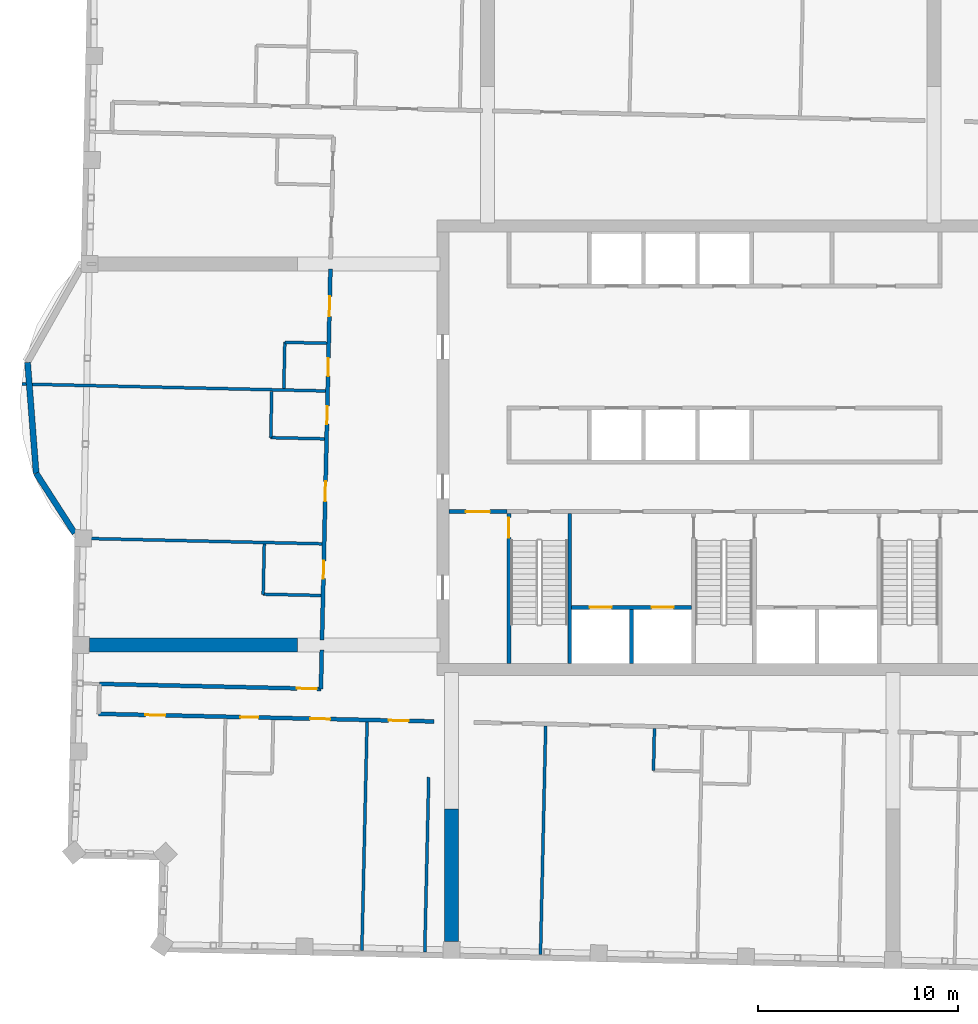
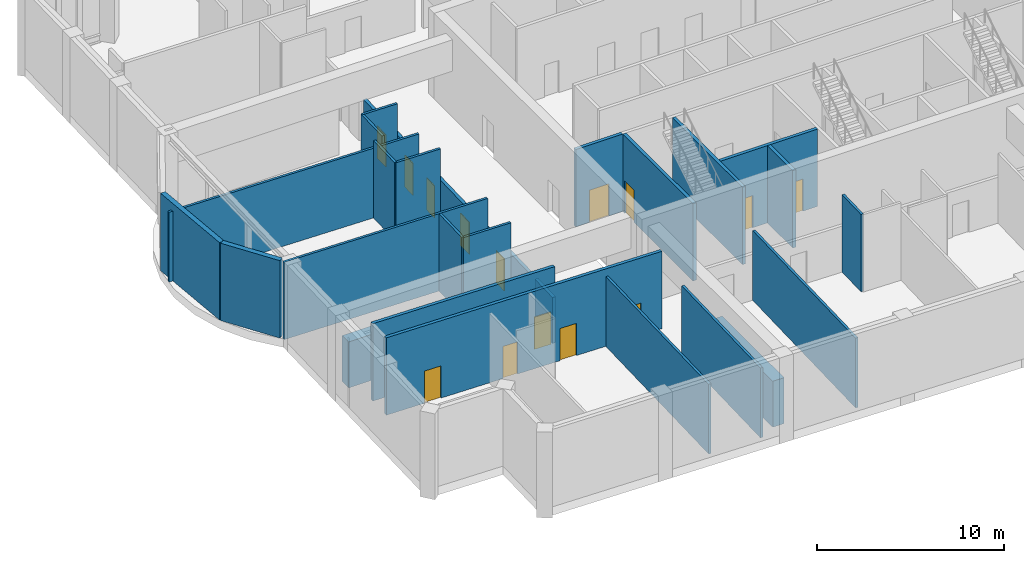
# One storey, part 9 of 16: 25 walls, 14 doors, 14 openings.
"""IFC4 building model written with IfcOpenShell, lengths in metres."""

import ifcopenshell
import ifcopenshell.guid

model = None  # the IFC model being written
_history = None  # IfcOwnerHistory: only IFC2X3 demands one
_inside = {}  # id of a spatial element -> (the spatial element, [elements in it])
_under = {}  # id of a project, library or spatial element -> (it, [spatial elements below it])
_declared = {}  # id of a project -> (the project, [libraries it declares])
_typed = {}  # id of a type object -> (the type object, [elements of that type])
_made_of = {}  # id of a material, layer set ... -> (it, [elements and type objects made of it])


def new_model(schema):
    """Start an empty IFC model of exactly this schema.

    Asked for "IFC4X3", IfcOpenShell would pick the latest addendum, in which some entities
    have other attributes; the version numbers below select the first issue.
    IFC2X3 requires an IfcOwnerHistory on every rooted entity: one is made here for all.
    """
    global model, _history
    if schema == "IFC4X3":
        model = ifcopenshell.file(schema_version=(4, 3, 0, 0))
    else:
        model = ifcopenshell.file(schema=schema)
    _inside.clear()
    _under.clear()
    _declared.clear()
    _typed.clear()
    _made_of.clear()
    _history = None
    if model.schema == "IFC2X3":
        org = make("IfcOrganization", Name="unknown")
        user = make(
            "IfcPersonAndOrganization",
            ThePerson=make("IfcPerson", FamilyName="unknown"),
            TheOrganization=org,
        )
        app = make(
            "IfcApplication",
            ApplicationDeveloper=org,
            Version="unknown",
            ApplicationFullName="unknown",
            ApplicationIdentifier="unknown",
        )
        _history = make(
            "IfcOwnerHistory",
            OwningUser=user,
            OwningApplication=app,
            ChangeAction="ADDED",
            CreationDate=0,
        )
    return model


def make(cls, **values):
    """One entity of the class cls with the attributes given. An attribute that is None is left unset."""
    return model.create_entity(
        cls, **{name: value for name, value in values.items() if value is not None}
    )


def rooted(cls, **values):
    """An entity with a GlobalId (a new one), such as an element, a storey or a relation."""
    return make(cls, GlobalId=ifcopenshell.guid.new(), OwnerHistory=_history, **values)


def si_unit(unit_type, name, prefix=None):
    """IfcSIUnit, for example si_unit("LENGTHUNIT", "METRE", prefix="MILLI")."""
    return make("IfcSIUnit", UnitType=unit_type, Prefix=prefix, Name=name)


def assignment(units):
    """IfcUnitAssignment: the units of a project."""
    return None if units is None else make("IfcUnitAssignment", Units=units)


def point(xyz):
    """IfcCartesianPoint."""
    return None if xyz is None else make("IfcCartesianPoint", Coordinates=xyz)


def direction(xyz):
    """IfcDirection."""
    return None if xyz is None else make("IfcDirection", DirectionRatios=xyz)


def frame(location, z_axis=None, x_axis=None):
    """IfcAxis2Placement3D, a coordinate frame: its origin and axes. An axis left out is left unset."""
    return make(
        "IfcAxis2Placement3D",
        Location=point(location),
        Axis=direction(z_axis),
        RefDirection=direction(x_axis),
    )


def frame_2d(location, x_axis=None):
    """IfcAxis2Placement2D, a coordinate frame in the plane: its origin and x axis."""
    return make(
        "IfcAxis2Placement2D", Location=point(location), RefDirection=direction(x_axis)
    )


def origin():
    """The frame at (0, 0, 0) with its axes left unset."""
    return frame((0.0, 0.0, 0.0))


def place(relative_to, where):
    """IfcLocalPlacement: puts the frame where relative to a parent placement (None: the world)."""
    return make(
        "IfcLocalPlacement", PlacementRelTo=relative_to, RelativePlacement=where
    )


def context(
    kind, dimensions, precision=None, world=None, true_north=None, identifier=None
):
    """IfcGeometricRepresentationContext, for example the 3D "Model" context."""
    return make(
        "IfcGeometricRepresentationContext",
        ContextIdentifier=identifier,
        ContextType=kind,
        CoordinateSpaceDimension=dimensions,
        Precision=precision,
        WorldCoordinateSystem=world,
        TrueNorth=true_north,
    )


def subcontext(parent, identifier, kind, view, scale=None):
    """IfcGeometricRepresentationSubContext, for example "Body" below "Model"."""
    return make(
        "IfcGeometricRepresentationSubContext",
        ContextIdentifier=identifier,
        ContextType=kind,
        ParentContext=parent,
        TargetScale=scale,
        TargetView=view,
    )


def project(units=None, contexts=None):
    """IfcProject with its units and contexts."""
    return rooted(
        "IfcProject",
        Name="project",
        RepresentationContexts=contexts,
        UnitsInContext=assignment(units),
    )


def spatial(cls, under=None, at=None, **own):
    """A site, building, storey or space (cls), placed at a placement, below another one or the project."""
    s = rooted(cls, ObjectPlacement=at, **own)
    if under is not None:
        _under.setdefault(under.id(), (under, []))[1].append(s)
    return s


def profile(cls, at=None, kind="AREA", **sizes):
    """A parametric profile (cls). Its sizes go by their IFC names, for example OverallWidth=200.0."""
    return make(cls, ProfileType=kind, Position=at, **sizes)


def rectangle(**sizes):
    """IfcRectangleProfileDef."""
    return profile("IfcRectangleProfileDef", **sizes)


def extrude(swept, where, along, depth):
    """IfcExtrudedAreaSolid: the profile swept, set in the frame where, extruded along a direction by depth."""
    return make(
        "IfcExtrudedAreaSolid",
        SweptArea=swept,
        Position=where,
        ExtrudedDirection=direction(along),
        Depth=depth,
    )


def shape(context_of_items, identifier, shape_type, items):
    """IfcShapeRepresentation: the items that make up one representation, for example the "Body"."""
    return make(
        "IfcShapeRepresentation",
        ContextOfItems=context_of_items,
        RepresentationIdentifier=identifier,
        RepresentationType=shape_type,
        Items=items,
    )


def material(Name=None, Category=None):
    """IfcMaterial."""
    return make("IfcMaterial", Name=Name, Category=Category)


def layer(
    of_material, thickness, ventilated=None, Name=None, Category=None, Priority=None
):
    """IfcMaterialLayer: one layer of a wall or slab, of a material (None: an air gap)."""
    return make(
        "IfcMaterialLayer",
        Material=of_material,
        LayerThickness=thickness,
        IsVentilated=ventilated,
        Name=Name,
        Category=Category,
        Priority=Priority,
    )


def layer_set(layers, Name=None):
    """IfcMaterialLayerSet."""
    return make("IfcMaterialLayerSet", MaterialLayers=layers, LayerSetName=Name)


def made_of(thing, what):
    """Note that an element or type object is made of a material, layer set ...; save() writes the relation."""
    if what is not None:
        _made_of.setdefault(what.id(), (what, []))[1].append(thing)
    return thing


def type_object(cls, material=None, **own):
    """A type object (cls), such as IfcWallType, which elements share."""
    return made_of(rooted(cls, **own), material)


def element(
    cls,
    number,
    at=None,
    inside=None,
    cuts=None,
    type_object=None,
    material=None,
    context=None,
    identifier="Body",
    shape_type=None,
    held_by="IfcProductDefinitionShape",
    body=None,
    shapes=None,
    **own,
):
    """One element of the class cls, such as IfcWall. Its Tag is "e" and its number.

    at: its placement. inside: the storey or other place that contains it. cuts: it is an
    opening in that element (IfcRelVoidsElement). A single representation is given by context,
    identifier, shape_type and body (its items); several are given by shapes. held_by: the class
    of the entity that holds the representations. save() writes the other relations.
    """
    e = rooted(cls, Tag="e%d" % number, ObjectPlacement=at, **own)
    if body is not None:
        shapes = [shape(context, identifier, shape_type, body)]
    if shapes is not None:
        e.Representation = make(held_by, Representations=shapes)
    if inside is not None:
        _inside.setdefault(inside.id(), (inside, []))[1].append(e)
    if cuts is not None:
        rooted(
            "IfcRelVoidsElement", RelatingBuildingElement=cuts, RelatedOpeningElement=e
        )
    if type_object is not None:
        _typed.setdefault(type_object.id(), (type_object, []))[1].append(e)
    return made_of(e, material)


def fill(opening, filler):
    """IfcRelFillsElement: the door or window that sits in an opening."""
    return rooted(
        "IfcRelFillsElement",
        RelatingOpeningElement=opening,
        RelatedBuildingElement=filler,
    )


def aggregate(whole, parts):
    """IfcRelAggregates: a whole, such as a stair, and the parts it consists of."""
    return rooted("IfcRelAggregates", RelatingObject=whole, RelatedObjects=parts)


def save(model, path):
    """Write the relations noted so far, then the file.

    IfcRelAggregates (storeys below a building ...), IfcRelContainedInSpatialStructure (elements
    in a storey), IfcRelDefinesByType, IfcRelAssociatesMaterial and IfcRelDeclares: one each for
    every whole, place, type object, material and project.
    """
    for whole, parts in _under.values():
        aggregate(whole, parts)
    for where, things in _inside.values():
        rooted(
            "IfcRelContainedInSpatialStructure",
            RelatedElements=things,
            RelatingStructure=where,
        )
    for kind, things in _typed.values():
        rooted("IfcRelDefinesByType", RelatedObjects=things, RelatingType=kind)
    for what, things in _made_of.values():
        rooted("IfcRelAssociatesMaterial", RelatedObjects=things, RelatingMaterial=what)
    for by, libraries in _declared.values():
        rooted("IfcRelDeclares", RelatingContext=by, RelatedDefinitions=libraries)
    model.write(path)


model = new_model("IFC4")

# Units and contexts
model_context = context("Model", 3, precision=1e-05, world=origin(), true_north=direction((0.0, 1.0)))
body_context = subcontext(model_context, "Body", "Model", "MODEL_VIEW")
ifc_project = project(units=[si_unit("LENGTHUNIT", "METRE"), si_unit("AREAUNIT", "SQUARE_METRE"), si_unit("VOLUMEUNIT", "CUBIC_METRE"), si_unit("PLANEANGLEUNIT", "RADIAN"), si_unit("MASSUNIT", "GRAM", prefix="KILO")], contexts=[model_context])

# Site, building, storey
site_placement = place(None, origin())
site = spatial("IfcSite", under=ifc_project, at=site_placement, CompositionType="ELEMENT")
building_placement = place(site_placement, origin())
building = spatial("IfcBuilding", under=site, at=building_placement, Name="Mangrove Gate Tower", CompositionType="ELEMENT")
storey_placement = place(building_placement, frame((0.0, 0.0, 324.10009765625)))
storey = spatial("IfcBuildingStorey", under=building, at=storey_placement, Name="L83", CompositionType="ELEMENT", Elevation=324.10009765625)

# Wall, opening, door
ifc_material_1 = material(Name="Concrete C32/40", Category="concrete")
ifc_layer_1 = layer(ifc_material_1, 0.199951171875)
ifc_layer_set_1 = layer_set([ifc_layer_1], Name="Core lobby wall 200 C32/40")
wall_type_1 = type_object("IfcWallType", Name="Core lobby wall 200 C32/40", PredefinedType="STANDARD", material=ifc_layer_set_1)
wall_1_placement = place(storey_placement, frame((-13.800048828125, -3.199951171875, 0.0), z_axis=(0.0, 0.0, 1.0), x_axis=(1.0, 0.0, 0.0)))
wall_1 = element("IfcWall", 1, at=wall_1_placement, inside=storey, type_object=wall_type_1, Name="WALL-L83-CORE-32", PredefinedType="STANDARD", context=body_context, shape_type="SweptSolid", body=[
    extrude(rectangle(XDim=2.900146484375, YDim=0.199951171875, at=frame_2d((1.4501953125, 0.0))), origin(), (0.0, 0.0, 1.0), 5.0498046875),
])
opening_1_placement = place(wall_1_placement, frame((0.85009765625, 0.0, 0.0)))
opening_1 = element("IfcOpeningElement", 2, at=opening_1_placement, cuts=wall_1, Name="Opening FL12", PredefinedType="OPENING", context=body_context, shape_type="SweptSolid", body=[
    extrude(rectangle(XDim=1.199951171875, YDim=2.10009765625, at=frame_2d((0.60009765625, 1.050048828125))), frame((0.0, 0.10986328125, 0.0), z_axis=(0.0, -1.0, 0.0), x_axis=(1.0, 0.0, 0.0)), (0.0, 0.0, 1.0), 0.219970703125),
])
ifc_material_2 = material(Name="Fire-rated steel door set", Category="steel")
door_type_1 = type_object("IfcDoorType", Name="Lobby door FD60 1200x2100", OperationType="SINGLE_SWING_LEFT", PredefinedType="DOOR", material=ifc_material_2)
door_1_placement = place(opening_1_placement, origin())
door_1 = element("IfcDoor", 3, at=door_1_placement, inside=storey, type_object=door_type_1, Name="Lobby door refuge lobby W link", OperationType="SINGLE_SWING_LEFT", OverallHeight=2.10009765625, OverallWidth=1.199951171875, PredefinedType="DOOR", context=body_context, shape_type="SweptSolid", body=[
    extrude(rectangle(XDim=1.199951171875, YDim=2.10009765625, at=frame_2d((0.60009765625, 1.050048828125))), frame((0.0, 0.02490234375, 0.0), z_axis=(0.0, -1.0, 0.0), x_axis=(1.0, 0.0, 0.0)), (0.0, 0.0, 1.0), 0.050048828125),
])
fill(opening_1, door_1)

# Wall, openings, doors
ifc_material_3 = material(Name="Concrete C50/60", Category="concrete")
ifc_layer_2 = layer(ifc_material_3, 0.199951171875)
ifc_layer_set_2 = layer_set([ifc_layer_2], Name="Core shaft wall 200 C50/60")
wall_type_2 = type_object("IfcWallType", Name="Core shaft wall 200 C50/60", PredefinedType="SHEAR", material=ifc_layer_set_2)
wall_2_placement = place(storey_placement, frame((-7.64990234375, -8.0, 0.0), z_axis=(0.0, 0.0, 1.0), x_axis=(1.0, 0.0, 0.0)))
wall_2 = element("IfcWall", 4, at=wall_2_placement, inside=storey, type_object=wall_type_2, Name="WALL-L83-CORE-15", PredefinedType="SHEAR", context=body_context, shape_type="SweptSolid", body=[
    extrude(rectangle(XDim=6.0, YDim=0.199951171875, at=frame_2d((3.0, 0.0))), origin(), (0.0, 0.0, 1.0), 5.0498046875),
])
opening_2_placement = place(wall_2_placement, frame((0.89990234375, 0.0, 0.0)))
opening_2 = element("IfcOpeningElement", 5, at=opening_2_placement, cuts=wall_2, Name="Opening LD", PredefinedType="OPENING", context=body_context, shape_type="SweptSolid", body=[
    extrude(rectangle(XDim=1.10009765625, YDim=2.10009765625, at=frame_2d((0.550048828125, 1.050048828125))), frame((0.0, 0.10986328125, 0.0), z_axis=(0.0, -1.0, 0.0), x_axis=(1.0, 0.0, 0.0)), (0.0, 0.0, 1.0), 0.219970703125),
])
opening_3_placement = place(wall_2_placement, frame((4.0, 0.0, 0.0)))
opening_3 = element("IfcOpeningElement", 6, at=opening_3_placement, cuts=wall_2, Name="Opening LD", PredefinedType="OPENING", context=body_context, shape_type="SweptSolid", body=[
    extrude(rectangle(XDim=1.10009765625, YDim=2.10009765625, at=frame_2d((0.550048828125, 1.050048828125))), frame((0.0, 0.10986328125, 0.0), z_axis=(0.0, -1.0, 0.0), x_axis=(1.0, 0.0, 0.0)), (0.0, 0.0, 1.0), 0.219970703125),
])
ifc_material_4 = material(Name="Stainless steel 316", Category="steel")
door_type_2 = type_object("IfcDoorType", Name="Lift landing door 1100x2100", OperationType="SLIDING_TO_LEFT", PredefinedType="DOOR", material=ifc_material_4)
door_2_placement = place(opening_2_placement, origin())
door_2 = element("IfcDoor", 7, at=door_2_placement, inside=storey, type_object=door_type_2, Name="Landing door LD SVL1", OperationType="SLIDING_TO_LEFT", OverallHeight=2.10009765625, OverallWidth=1.10009765625, PredefinedType="DOOR", context=body_context, shape_type="SweptSolid", body=[
    extrude(rectangle(XDim=1.10009765625, YDim=2.10009765625, at=frame_2d((0.550048828125, 1.050048828125))), frame((0.0, 0.02490234375, 0.0), z_axis=(0.0, -1.0, 0.0), x_axis=(1.0, 0.0, 0.0)), (0.0, 0.0, 1.0), 0.050048828125),
])
fill(opening_2, door_2)
door_3_placement = place(opening_3_placement, origin())
door_3 = element("IfcDoor", 8, at=door_3_placement, inside=storey, type_object=door_type_2, Name="Landing door LD SVL2", OperationType="SLIDING_TO_LEFT", OverallHeight=2.10009765625, OverallWidth=1.10009765625, PredefinedType="DOOR", context=body_context, shape_type="SweptSolid", body=[
    extrude(rectangle(XDim=1.10009765625, YDim=2.10009765625, at=frame_2d((0.550048828125, 1.050048828125))), frame((0.0, 0.02490234375, 0.0), z_axis=(0.0, -1.0, 0.0), x_axis=(1.0, 0.0, 0.0)), (0.0, 0.0, 1.0), 0.050048828125),
])
fill(opening_3, door_3)

# Wall
wall_3_placement = place(storey_placement, frame((-4.64990234375, -10.800048828125, 0.0), z_axis=(0.0, 0.0, 1.0), x_axis=(0.0, 1.0, 0.0)))
element("IfcWall", 9, at=wall_3_placement, inside=storey, type_object=wall_type_2, Name="WALL-L83-CORE-16", PredefinedType="SHEAR", context=body_context, shape_type="SweptSolid", body=[
    extrude(rectangle(XDim=2.699951171875, YDim=0.199951171875, at=frame_2d((1.35009765625, 0.0))), origin(), (0.0, 0.0, 1.0), 5.0498046875),
])

# Wall, opening, door
ifc_material_5 = material(Name="Concrete C50/60", Category="concrete")
ifc_layer_3 = layer(ifc_material_5, 0.199951171875)
ifc_layer_set_3 = layer_set([ifc_layer_3], Name="Core stair wall 200 C50/60")
wall_type_3 = type_object("IfcWallType", Name="Core stair wall 200 C50/60", PredefinedType="SHEAR", material=ifc_layer_set_3)
wall_4_placement = place(storey_placement, frame((-10.800048828125, -10.800048828125, 0.0), z_axis=(0.0, 0.0, 1.0), x_axis=(0.0, 1.0, 0.0)))
wall_4 = element("IfcWall", 10, at=wall_4_placement, inside=storey, type_object=wall_type_3, Name="WALL-L83-CORE-9", PredefinedType="SHEAR", context=body_context, shape_type="SweptSolid", body=[
    extrude(rectangle(XDim=7.5, YDim=0.199951171875, at=frame_2d((3.75, 0.0))), origin(), (0.0, 0.0, 1.0), 5.0498046875),
])
opening_4_placement = place(wall_4_placement, frame((6.300048828125, 0.0, 0.0)))
opening_4 = element("IfcOpeningElement", 11, at=opening_4_placement, cuts=wall_4, Name="Opening STD10", PredefinedType="OPENING", context=body_context, shape_type="SweptSolid", body=[
    extrude(rectangle(XDim=1.0, YDim=2.10009765625, at=frame_2d((0.5, 1.050048828125))), frame((0.0, 0.10986328125, 0.0), z_axis=(0.0, -1.0, 0.0), x_axis=(1.0, 0.0, 0.0)), (0.0, 0.0, 1.0), 0.219970703125),
])
ifc_material_6 = material(Name="Fire-rated steel door set", Category="steel")
door_type_3 = type_object("IfcDoorType", Name="Stair door FD60 1000x2100", OperationType="SINGLE_SWING_RIGHT", PredefinedType="DOOR", material=ifc_material_6)
door_4_placement = place(opening_4_placement, origin())
door_4 = element("IfcDoor", 12, at=door_4_placement, inside=storey, type_object=door_type_3, Name="Stair door refuge lobby W to stair", OperationType="SINGLE_SWING_RIGHT", OverallHeight=2.10009765625, OverallWidth=1.0, PredefinedType="DOOR", context=body_context, shape_type="SweptSolid", body=[
    extrude(rectangle(XDim=1.0, YDim=2.10009765625, at=frame_2d((0.5, 1.050048828125))), frame((0.0, 0.02490234375, 0.0), z_axis=(0.0, -1.0, 0.0), x_axis=(1.0, 0.0, 0.0)), (0.0, 0.0, 1.0), 0.050048828125),
])
fill(opening_4, door_4)

# Wall
wall_5_placement = place(storey_placement, frame((-7.75, -10.800048828125, 0.0), z_axis=(0.0, 0.0, 1.0), x_axis=(0.0, 1.0, 0.0)))
element("IfcWall", 13, at=wall_5_placement, inside=storey, type_object=wall_type_3, Name="WALL-L83-CORE-10", PredefinedType="SHEAR", context=body_context, shape_type="SweptSolid", body=[
    extrude(rectangle(XDim=7.5, YDim=0.199951171875, at=frame_2d((3.75, 0.0))), origin(), (0.0, 0.0, 1.0), 5.0498046875),
])

# Wall, openings, doors
ifc_material_7 = material(Name="Gypsum board on steel stud, EI 60", Category="steel")
ifc_layer_4 = layer(ifc_material_7, 0.199951171875)
ifc_layer_set_4 = layer_set([ifc_layer_4], Name="Corridor wall EI 60")
wall_type_4 = type_object("IfcWallType", Name="Corridor wall EI 60", PredefinedType="PARTITIONING", material=ifc_layer_set_4)
wall_6_placement = place(storey_placement, frame((-31.346923828125, -13.3291015625, 0.0), z_axis=(0.0, 0.0, 1.0), x_axis=(0.999743094177, -0.022665957838, 0.0)))
wall_6 = element("IfcWall", 14, at=wall_6_placement, inside=storey, type_object=wall_type_4, Name="WALL-L83-020", PredefinedType="PARTITIONING", context=body_context, shape_type="SweptSolid", body=[
    extrude(rectangle(XDim=16.80322265625, YDim=0.199951171875, at=frame_2d((8.401611328125, 0.0))), origin(), (0.0, 0.0, 1.0), 5.0498046875),
])
opening_5_placement = place(wall_6_placement, frame((2.341064453125, 0.0, 0.0)))
opening_5 = element("IfcOpeningElement", 15, at=opening_5_placement, cuts=wall_6, Name="Opening AD", PredefinedType="OPENING", context=body_context, shape_type="SweptSolid", body=[
    extrude(rectangle(XDim=1.0, YDim=2.10009765625, at=frame_2d((0.5, 1.050048828125))), frame((0.0, 0.10986328125, 0.0), z_axis=(0.0, -1.0, 0.0), x_axis=(1.0, 0.0, 0.0)), (0.0, 0.0, 1.0), 0.219970703125),
])
opening_6_placement = place(wall_6_placement, frame((10.60009765625, 0.0, 0.0)))
opening_6 = element("IfcOpeningElement", 16, at=opening_6_placement, cuts=wall_6, Name="Opening AD", PredefinedType="OPENING", context=body_context, shape_type="SweptSolid", body=[
    extrude(rectangle(XDim=1.0, YDim=2.10009765625, at=frame_2d((0.5, 1.050048828125))), frame((0.0, 0.10986328125, 0.0), z_axis=(0.0, -1.0, 0.0), x_axis=(1.0, 0.0, 0.0)), (0.0, 0.0, 1.0), 0.219970703125),
])
opening_7_placement = place(wall_6_placement, frame((7.10009765625, 0.0, 0.0)))
opening_7 = element("IfcOpeningElement", 17, at=opening_7_placement, cuts=wall_6, Name="Opening SD", PredefinedType="OPENING", context=body_context, shape_type="SweptSolid", body=[
    extrude(rectangle(XDim=0.89990234375, YDim=2.10009765625, at=frame_2d((0.449951171875, 1.050048828125))), frame((0.0, 0.10986328125, 0.0), z_axis=(0.0, -1.0, 0.0), x_axis=(1.0, 0.0, 0.0)), (0.0, 0.0, 1.0), 0.219970703125),
])
opening_8_placement = place(wall_6_placement, frame((14.52490234375, 0.0, 0.0)))
opening_8 = element("IfcOpeningElement", 18, at=opening_8_placement, cuts=wall_6, Name="Opening AD", PredefinedType="OPENING", context=body_context, shape_type="SweptSolid", body=[
    extrude(rectangle(XDim=1.0, YDim=2.10009765625, at=frame_2d((0.5, 1.050048828125))), frame((0.0, 0.10986328125, 0.0), z_axis=(0.0, -1.0, 0.0), x_axis=(1.0, 0.0, 0.0)), (0.0, 0.0, 1.0), 0.219970703125),
])
ifc_material_8 = material(Name="Timber door leaf", Category="wood")
door_type_4 = type_object("IfcDoorType", Name="Amenity door 1000", OperationType="SINGLE_SWING_LEFT", PredefinedType="DOOR", material=ifc_material_8)
door_5_placement = place(opening_5_placement, origin())
door_5 = element("IfcDoor", 19, at=door_5_placement, inside=storey, type_object=door_type_4, Name="DOOR-L83-STU-c1a", OperationType="SINGLE_SWING_LEFT", OverallHeight=2.10009765625, OverallWidth=1.0, PredefinedType="DOOR", context=body_context, shape_type="SweptSolid", body=[
    extrude(rectangle(XDim=1.0, YDim=2.10009765625, at=frame_2d((0.5, 1.050048828125))), frame((0.0, 0.02490234375, 0.0), z_axis=(0.0, -1.0, 0.0), x_axis=(1.0, 0.0, 0.0)), (0.0, 0.0, 1.0), 0.050048828125),
])
fill(opening_5, door_5)
door_6_placement = place(opening_6_placement, origin())
door_6 = element("IfcDoor", 20, at=door_6_placement, inside=storey, type_object=door_type_4, Name="DOOR-L83-GAM-c1a", OperationType="SINGLE_SWING_RIGHT", OverallHeight=2.10009765625, OverallWidth=1.0, PredefinedType="DOOR", context=body_context, shape_type="SweptSolid", body=[
    extrude(rectangle(XDim=1.0, YDim=2.10009765625, at=frame_2d((0.5, 1.050048828125))), frame((0.0, 0.02490234375, 0.0), z_axis=(0.0, -1.0, 0.0), x_axis=(1.0, 0.0, 0.0)), (0.0, 0.0, 1.0), 0.050048828125),
])
fill(opening_6, door_6)
door_7_placement = place(opening_8_placement, origin())
door_7 = element("IfcDoor", 21, at=door_7_placement, inside=storey, type_object=door_type_4, Name="DOOR-L83-STU-c1b", OperationType="SINGLE_SWING_LEFT", OverallHeight=2.10009765625, OverallWidth=1.0, PredefinedType="DOOR", context=body_context, shape_type="SweptSolid", body=[
    extrude(rectangle(XDim=1.0, YDim=2.10009765625, at=frame_2d((0.5, 1.050048828125))), frame((0.0, 0.02490234375, 0.0), z_axis=(0.0, -1.0, 0.0), x_axis=(1.0, 0.0, 0.0)), (0.0, 0.0, 1.0), 0.050048828125),
])
fill(opening_8, door_7)
ifc_material_9 = material(Name="Timber door leaf", Category="wood")
door_type_5 = type_object("IfcDoorType", Name="Service room door 900", OperationType="SINGLE_SWING_LEFT", PredefinedType="DOOR", material=ifc_material_9)
door_8_placement = place(opening_7_placement, origin())
door_8 = element("IfcDoor", 22, at=door_8_placement, inside=storey, type_object=door_type_5, Name="DOOR-L83-WC-c1a", OperationType="SINGLE_SWING_LEFT", OverallHeight=2.10009765625, OverallWidth=0.89990234375, PredefinedType="DOOR", context=body_context, shape_type="SweptSolid", body=[
    extrude(rectangle(XDim=0.89990234375, YDim=2.10009765625, at=frame_2d((0.449951171875, 1.050048828125))), frame((0.0, 0.02490234375, 0.0), z_axis=(0.0, -1.0, 0.0), x_axis=(1.0, 0.0, 0.0)), (0.0, 0.0, 1.0), 0.050048828125),
])
fill(opening_7, door_8)

# Wall, opening, door
wall_7_placement = place(storey_placement, frame((-31.31298828125, -11.8291015625, 0.0), z_axis=(0.0, 0.0, 1.0), x_axis=(0.999742346277, -0.022698921993, 0.0)))
wall_7 = element("IfcWall", 23, at=wall_7_placement, inside=storey, type_object=wall_type_4, Name="WALL-L83-026", PredefinedType="PARTITIONING", context=body_context, shape_type="SweptSolid", body=[
    extrude(rectangle(XDim=11.099853515625, YDim=0.199951171875, at=frame_2d((5.5498046875, 0.0))), origin(), (0.0, 0.0, 1.0), 5.0498046875),
])
opening_9_placement = place(wall_7_placement, frame((9.89990234375, 0.0, 0.0)))
opening_9 = element("IfcOpeningElement", 24, at=opening_9_placement, cuts=wall_7, Name="Opening AD", PredefinedType="OPENING", context=body_context, shape_type="SweptSolid", body=[
    extrude(rectangle(XDim=1.0, YDim=2.10009765625, at=frame_2d((0.5, 1.050048828125))), frame((0.0, 0.10986328125, 0.0), z_axis=(0.0, -1.0, 0.0), x_axis=(1.0, 0.0, 0.0)), (0.0, 0.0, 1.0), 0.219970703125),
])
door_9_placement = place(opening_9_placement, origin())
door_9 = element("IfcDoor", 25, at=door_9_placement, inside=storey, type_object=door_type_4, Name="DOOR-L83-GAM-c5b", OperationType="SINGLE_SWING_RIGHT", OverallHeight=2.10009765625, OverallWidth=1.0, PredefinedType="DOOR", context=body_context, shape_type="SweptSolid", body=[
    extrude(rectangle(XDim=1.0, YDim=2.10009765625, at=frame_2d((0.5, 1.050048828125))), frame((0.0, 0.02490234375, 0.0), z_axis=(0.0, -1.0, 0.0), x_axis=(1.0, 0.0, 0.0)), (0.0, 0.0, 1.0), 0.050048828125),
])
fill(opening_9, door_9)

# Wall
wall_8_placement = place(storey_placement, frame((-20.216064453125, -12.0810546875, 0.0), z_axis=(0.0, 0.0, 1.0), x_axis=(0.02241589086, 0.999748732351, 0.0)))
element("IfcWall", 26, at=wall_8_placement, inside=storey, type_object=wall_type_4, Name="WALL-L83-027", PredefinedType="PARTITIONING", context=body_context, shape_type="SweptSolid", body=[
    extrude(rectangle(XDim=1.96044921875, YDim=0.199951171875, at=frame_2d((0.980224609375, 0.0))), origin(), (0.0, 0.0, 1.0), 3.0),
])

# Wall, openings, doors
wall_9_placement = place(storey_placement, frame((-20.160888671875, -9.62890625, 0.0), z_axis=(0.0, 0.0, 1.0), x_axis=(0.022682940103, 0.999742709015, 0.0)))
wall_9 = element("IfcWall", 27, at=wall_9_placement, inside=storey, type_object=wall_type_4, Name="WALL-L83-032", PredefinedType="PARTITIONING", context=body_context, shape_type="SweptSolid", body=[
    extrude(rectangle(XDim=18.598876953125, YDim=0.199951171875, at=frame_2d((9.29931640625, 0.0))), origin(), (0.0, 0.0, 1.0), 3.0),
])
opening_10_placement = place(wall_9_placement, frame((16.221923828125, 0.0, 0.0)))
opening_10 = element("IfcOpeningElement", 28, at=opening_10_placement, cuts=wall_9, Name="Opening AD", PredefinedType="OPENING", context=body_context, shape_type="SweptSolid", body=[
    extrude(rectangle(XDim=1.0, YDim=2.10009765625, at=frame_2d((0.5, 1.050048828125))), frame((0.0, 0.10986328125, 0.0), z_axis=(0.0, -1.0, 0.0), x_axis=(1.0, 0.0, 0.0)), (0.0, 0.0, 1.0), 0.219970703125),
])
opening_11_placement = place(wall_9_placement, frame((13.221923828125, 0.0, 0.0)))
opening_11 = element("IfcOpeningElement", 29, at=opening_11_placement, cuts=wall_9, Name="Opening SD", PredefinedType="OPENING", context=body_context, shape_type="SweptSolid", body=[
    extrude(rectangle(XDim=0.89990234375, YDim=2.10009765625, at=frame_2d((0.449951171875, 1.050048828125))), frame((0.0, 0.10986328125, 0.0), z_axis=(0.0, -1.0, 0.0), x_axis=(1.0, 0.0, 0.0)), (0.0, 0.0, 1.0), 0.219970703125),
])
opening_12_placement = place(wall_9_placement, frame((6.947021484375, 0.0, 0.0)))
opening_12 = element("IfcOpeningElement", 30, at=opening_12_placement, cuts=wall_9, Name="Opening AD", PredefinedType="OPENING", context=body_context, shape_type="SweptSolid", body=[
    extrude(rectangle(XDim=1.0, YDim=2.10009765625, at=frame_2d((0.5, 1.050048828125))), frame((0.0, 0.10986328125, 0.0), z_axis=(0.0, -1.0, 0.0), x_axis=(1.0, 0.0, 0.0)), (0.0, 0.0, 1.0), 0.219970703125),
])
opening_13_placement = place(wall_9_placement, frame((10.822021484375, 0.0, 0.0)))
opening_13 = element("IfcOpeningElement", 31, at=opening_13_placement, cuts=wall_9, Name="Opening SD", PredefinedType="OPENING", context=body_context, shape_type="SweptSolid", body=[
    extrude(rectangle(XDim=0.89990234375, YDim=2.10009765625, at=frame_2d((0.449951171875, 1.050048828125))), frame((0.0, 0.10986328125, 0.0), z_axis=(0.0, -1.0, 0.0), x_axis=(1.0, 0.0, 0.0)), (0.0, 0.0, 1.0), 0.219970703125),
])
opening_14_placement = place(wall_9_placement, frame((3.072021484375, 0.0, 0.0)))
opening_14 = element("IfcOpeningElement", 32, at=opening_14_placement, cuts=wall_9, Name="Opening SD", PredefinedType="OPENING", context=body_context, shape_type="SweptSolid", body=[
    extrude(rectangle(XDim=0.89990234375, YDim=2.10009765625, at=frame_2d((0.449951171875, 1.050048828125))), frame((0.0, 0.10986328125, 0.0), z_axis=(0.0, -1.0, 0.0), x_axis=(1.0, 0.0, 0.0)), (0.0, 0.0, 1.0), 0.219970703125),
])
door_10_placement = place(opening_10_placement, origin())
door_10 = element("IfcDoor", 33, at=door_10_placement, inside=storey, type_object=door_type_4, Name="DOOR-L83-KIT-c5a", OperationType="SINGLE_SWING_RIGHT", OverallHeight=2.10009765625, OverallWidth=1.0, PredefinedType="DOOR", context=body_context, shape_type="SweptSolid", body=[
    extrude(rectangle(XDim=1.0, YDim=2.10009765625, at=frame_2d((0.5, 1.050048828125))), frame((0.0, 0.02490234375, 0.0), z_axis=(0.0, -1.0, 0.0), x_axis=(1.0, 0.0, 0.0)), (0.0, 0.0, 1.0), 0.050048828125),
])
fill(opening_10, door_10)
door_11_placement = place(opening_12_placement, origin())
door_11 = element("IfcDoor", 34, at=door_11_placement, inside=storey, type_object=door_type_4, Name="DOOR-L83-GAM-c5a", OperationType="SINGLE_SWING_LEFT", OverallHeight=2.10009765625, OverallWidth=1.0, PredefinedType="DOOR", context=body_context, shape_type="SweptSolid", body=[
    extrude(rectangle(XDim=1.0, YDim=2.10009765625, at=frame_2d((0.5, 1.050048828125))), frame((0.0, 0.02490234375, 0.0), z_axis=(0.0, -1.0, 0.0), x_axis=(1.0, 0.0, 0.0)), (0.0, 0.0, 1.0), 0.050048828125),
])
fill(opening_12, door_11)
door_12_placement = place(opening_11_placement, origin())
door_12 = element("IfcDoor", 35, at=door_12_placement, inside=storey, type_object=door_type_5, Name="DOOR-L83-LIN-c5a", OperationType="SINGLE_SWING_RIGHT", OverallHeight=2.10009765625, OverallWidth=0.89990234375, PredefinedType="DOOR", context=body_context, shape_type="SweptSolid", body=[
    extrude(rectangle(XDim=0.89990234375, YDim=2.10009765625, at=frame_2d((0.449951171875, 1.050048828125))), frame((0.0, 0.02490234375, 0.0), z_axis=(0.0, -1.0, 0.0), x_axis=(1.0, 0.0, 0.0)), (0.0, 0.0, 1.0), 0.050048828125),
])
fill(opening_11, door_12)
door_13_placement = place(opening_13_placement, origin())
door_13 = element("IfcDoor", 36, at=door_13_placement, inside=storey, type_object=door_type_5, Name="DOOR-L83-WC-c5b", OperationType="SINGLE_SWING_LEFT", OverallHeight=2.10009765625, OverallWidth=0.89990234375, PredefinedType="DOOR", context=body_context, shape_type="SweptSolid", body=[
    extrude(rectangle(XDim=0.89990234375, YDim=2.10009765625, at=frame_2d((0.449951171875, 1.050048828125))), frame((0.0, 0.02490234375, 0.0), z_axis=(0.0, -1.0, 0.0), x_axis=(1.0, 0.0, 0.0)), (0.0, 0.0, 1.0), 0.050048828125),
])
fill(opening_13, door_13)
door_14_placement = place(opening_14_placement, origin())
door_14 = element("IfcDoor", 37, at=door_14_placement, inside=storey, type_object=door_type_5, Name="DOOR-L83-AWC-c5a", OperationType="SINGLE_SWING_RIGHT", OverallHeight=2.10009765625, OverallWidth=0.89990234375, PredefinedType="DOOR", context=body_context, shape_type="SweptSolid", body=[
    extrude(rectangle(XDim=0.89990234375, YDim=2.10009765625, at=frame_2d((0.449951171875, 1.050048828125))), frame((0.0, 0.02490234375, 0.0), z_axis=(0.0, -1.0, 0.0), x_axis=(1.0, 0.0, 0.0)), (0.0, 0.0, 1.0), 0.050048828125),
])
fill(opening_14, door_14)

# Walls
ifc_material_10 = material(Name="Limestone", Category="masonry")
ifc_layer_5 = layer(ifc_material_10, 0.0400390625, Name="Limestone cladding")
ifc_material_11 = material(Name="Ventilated air gap")
ifc_layer_6 = layer(ifc_material_11, 0.0400390625, Name="Ventilated cavity")
ifc_material_12 = material(Name="Mineral wool insulation")
ifc_layer_7 = layer(ifc_material_12, 0.06005859375, Name="Insulation")
ifc_material_13 = material(Name="Breather membrane")
ifc_layer_8 = layer(ifc_material_13, 0.001953125, Name="Breather membrane")
ifc_material_14 = material(Name="Concrete C20/25 blockwork", Category="masonry")
ifc_layer_9 = layer(ifc_material_14, 0.14990234375, Name="Blockwork backing wall")
ifc_material_15 = material(Name="Gypsum plaster")
ifc_layer_10 = layer(ifc_material_15, 0.008056640625, Name="Internal plaster")
ifc_layer_set_5 = layer_set([ifc_layer_5, ifc_layer_6, ifc_layer_7, ifc_layer_8, ifc_layer_9, ifc_layer_10], Name="External wall 300 limestone cladding")
wall_type_5 = type_object("IfcWallType", Name="External wall 300 limestone cladding", PredefinedType="SOLIDWALL", material=ifc_layer_set_5)
wall_10_placement = place(storey_placement, frame((-34.910888671875, 4.280029296875, 0.0), z_axis=(0.0, 0.0, 1.0), x_axis=(0.077135284219, -0.997020635658, 0.0)))
element("IfcWall", 38, at=wall_10_placement, inside=storey, type_object=wall_type_5, Name="WALL-L83-W9f2", PredefinedType="SOLIDWALL", context=body_context, shape_type="SweptSolid", body=[
    extrude(rectangle(XDim=5.57373046875, YDim=0.300048828125, at=frame_2d((2.786865234375, 0.0))), origin(), (0.0, 0.0, 1.0), 5.0498046875),
])
wall_11_placement = place(storey_placement, frame((-34.48095703125, -1.277099609375, 0.0), z_axis=(0.0, 0.0, 1.0), x_axis=(0.540460234606, -0.841369558999, 0.0)))
element("IfcWall", 39, at=wall_11_placement, inside=storey, type_object=wall_type_5, Name="WALL-L83-W9f3", PredefinedType="SOLIDWALL", context=body_context, shape_type="SweptSolid", body=[
    extrude(rectangle(XDim=3.569091796875, YDim=0.300048828125, at=frame_2d((1.78466796875, 0.0))), origin(), (0.0, 0.0, 1.0), 5.0498046875),
])
ifc_material_16 = material(Name="Concrete C50/60", Category="concrete")
ifc_layer_11 = layer(ifc_material_16, 0.699951171875)
ifc_layer_set_6 = layer_set([ifc_layer_11], Name="Outrigger wall 700 C50/60")
wall_type_6 = type_object("IfcWallType", Name="Outrigger wall 700 C50/60", PredefinedType="SHEAR", material=ifc_layer_set_6)
wall_12_placement = place(storey_placement, frame((-21.39990234375, -9.87451171875, 0.0), z_axis=(0.0, 0.0, 1.0), x_axis=(-1.0, 0.0, 0.0)))
element("IfcWall", 40, at=wall_12_placement, inside=storey, type_object=wall_type_6, Name="Outrigger wall L83 OR6 pier", PredefinedType="SHEAR", context=body_context, shape_type="SweptSolid", body=[
    extrude(rectangle(XDim=10.419189453125, YDim=0.699951171875, at=frame_2d((5.20947265625, 0.0))), origin(), (0.0, 0.0, 1.0), 3.0),
])
wall_13_placement = place(storey_placement, frame((-13.66845703125, -18.10009765625, 0.0), z_axis=(0.0, 0.0, 1.0), x_axis=(0.0, -1.0, 0.0)))
element("IfcWall", 41, at=wall_13_placement, inside=storey, type_object=wall_type_6, Name="Outrigger wall L83 OR8 pier", PredefinedType="SHEAR", context=body_context, shape_type="SweptSolid", body=[
    extrude(rectangle(XDim=6.6328125, YDim=0.699951171875, at=frame_2d((3.31640625, 0.0))), origin(), (0.0, 0.0, 1.0), 3.0),
])
ifc_material_17 = material(Name="Gypsum board on steel stud, EI 60", Category="steel")
ifc_layer_12 = layer(ifc_material_17, 0.14990234375)
ifc_layer_set_7 = layer_set([ifc_layer_12], Name="Party wall 150 EI 60")
wall_type_7 = type_object("IfcWallType", Name="Party wall 150 EI 60", PredefinedType="PARTITIONING", material=ifc_layer_set_7)
wall_14_placement = place(storey_placement, frame((-18.1630859375, -25.180908203125, 0.0), z_axis=(0.0, 0.0, 1.0), x_axis=(0.022708327922, 0.999742132674, 0.0)))
element("IfcWall", 42, at=wall_14_placement, inside=storey, type_object=wall_type_7, Name="WALL-L83-002", PredefinedType="PARTITIONING", context=body_context, shape_type="SweptSolid", body=[
    extrude(rectangle(XDim=11.449951171875, YDim=0.14990234375, at=frame_2d((5.72509765625, 0.0))), origin(), (0.0, 0.0, 1.0), 4.5498046875),
])
wall_15_placement = place(storey_placement, frame((-15.013916015625, -25.2529296875, 0.0), z_axis=(0.0, 0.0, 1.0), x_axis=(0.022739151237, 0.999741432072, 0.0)))
element("IfcWall", 43, at=wall_15_placement, inside=storey, type_object=wall_type_7, Name="WALL-L83-003", PredefinedType="PARTITIONING", context=body_context, shape_type="SweptSolid", body=[
    extrude(rectangle(XDim=8.750244140625, YDim=0.14990234375, at=frame_2d((4.375, 0.0))), origin(), (0.0, 0.0, 1.0), 4.5498046875),
])
wall_16_placement = place(storey_placement, frame((-9.215087890625, -25.384033203125, 0.0), z_axis=(0.0, 0.0, 1.0), x_axis=(0.022623082162, 0.999744065325, 0.0)))
element("IfcWall", 44, at=wall_16_placement, inside=storey, type_object=wall_type_7, Name="WALL-L83-004", PredefinedType="PARTITIONING", context=body_context, shape_type="SweptSolid", body=[
    extrude(rectangle(XDim=11.449951171875, YDim=0.14990234375, at=frame_2d((5.72509765625, 0.0))), origin(), (0.0, 0.0, 1.0), 4.5498046875),
])
wall_17_placement = place(storey_placement, frame((-3.554931640625, -16.159912109375, 0.0), z_axis=(0.0, 0.0, 1.0), x_axis=(0.022792727877, 0.999740212033, 0.0)))
element("IfcWall", 45, at=wall_17_placement, inside=storey, type_object=wall_type_7, Name="WALL-L83-019", PredefinedType="PARTITIONING", context=body_context, shape_type="SweptSolid", body=[
    extrude(rectangle(XDim=2.099365234375, YDim=0.14990234375, at=frame_2d((1.0498046875, 0.0))), origin(), (0.0, 0.0, 1.0), 5.0498046875),
])
wall_18_placement = place(storey_placement, frame((-23.10888671875, -7.339111328125, 0.0), z_axis=(0.0, 0.0, 1.0), x_axis=(0.022530308093, 0.999746160391, 0.0)))
element("IfcWall", 46, at=wall_18_placement, inside=storey, type_object=wall_type_7, Name="WALL-L83-033", PredefinedType="PARTITIONING", context=body_context, shape_type="SweptSolid", body=[
    extrude(rectangle(XDim=2.52490234375, YDim=0.14990234375, at=frame_2d((1.262451171875, 0.0))), origin(), (0.0, 0.0, 1.0), 5.0498046875),
])
wall_19_placement = place(storey_placement, frame((-23.10888671875, -7.333984375, 0.0), z_axis=(0.0, 0.0, 1.0), x_axis=(0.999741574676, -0.022732880677, 0.0)))
element("IfcWall", 47, at=wall_19_placement, inside=storey, type_object=wall_type_7, Name="WALL-L83-034", PredefinedType="PARTITIONING", context=body_context, shape_type="SweptSolid", body=[
    extrude(rectangle(XDim=2.899658203125, YDim=0.14990234375, at=frame_2d((1.44970703125, 0.0))), origin(), (0.0, 0.0, 1.0), 5.0498046875),
])
wall_20_placement = place(storey_placement, frame((-32.548095703125, -4.529052734375, 0.0), z_axis=(0.0, 0.0, 1.0), x_axis=(0.999741418644, -0.022739741597, 0.0)))
element("IfcWall", 48, at=wall_20_placement, inside=storey, type_object=wall_type_7, Name="WALL-L83-035", PredefinedType="PARTITIONING", context=body_context, shape_type="SweptSolid", body=[
    extrude(rectangle(XDim=12.400390625, YDim=0.14990234375, at=frame_2d((6.2001953125, 0.0))), origin(), (0.0, 0.0, 1.0), 5.0498046875),
])
wall_21_placement = place(storey_placement, frame((-22.73095703125, 0.50390625, 0.0), z_axis=(0.0, 0.0, 1.0), x_axis=(0.022358961731, 0.999750007167, 0.0)))
element("IfcWall", 49, at=wall_21_placement, inside=storey, type_object=wall_type_7, Name="WALL-L83-036", PredefinedType="PARTITIONING", context=body_context, shape_type="SweptSolid", body=[
    extrude(rectangle(XDim=2.32568359375, YDim=0.14990234375, at=frame_2d((1.162841796875, 0.0))), origin(), (0.0, 0.0, 1.0), 5.0498046875),
])
wall_22_placement = place(storey_placement, frame((-22.73095703125, 0.509033203125, 0.0), z_axis=(0.0, 0.0, 1.0), x_axis=(0.999744396973, -0.02260842146, 0.0)))
element("IfcWall", 50, at=wall_22_placement, inside=storey, type_object=wall_type_7, Name="WALL-L83-037", PredefinedType="PARTITIONING", context=body_context, shape_type="SweptSolid", body=[
    extrude(rectangle(XDim=2.69970703125, YDim=0.14990234375, at=frame_2d((1.349853515625, 0.0))), origin(), (0.0, 0.0, 1.0), 5.0498046875),
])
wall_23_placement = place(storey_placement, frame((-22.074951171875, 2.965087890625, 0.0), z_axis=(0.0, 0.0, 1.0), x_axis=(0.022370700241, 0.999749744571, 0.0)))
element("IfcWall", 51, at=wall_23_placement, inside=storey, type_object=wall_type_7, Name="WALL-L83-038", PredefinedType="PARTITIONING", context=body_context, shape_type="SweptSolid", body=[
    extrude(rectangle(XDim=2.324462890625, YDim=0.14990234375, at=frame_2d((1.162109375, 0.0))), origin(), (0.0, 0.0, 1.0), 5.0498046875),
])
wall_24_placement = place(storey_placement, frame((-35.196044921875, 3.193115234375, 0.0), z_axis=(0.0, 0.0, 1.0), x_axis=(0.999741346783, -0.022742900707, 0.0)))
element("IfcWall", 52, at=wall_24_placement, inside=storey, type_object=wall_type_7, Name="WALL-L83-039", PredefinedType="PARTITIONING", context=body_context, shape_type="SweptSolid", body=[
    extrude(rectangle(XDim=15.221923828125, YDim=0.14990234375, at=frame_2d((7.61083984375, 0.0))), origin(), (0.0, 0.0, 1.0), 4.5498046875),
])
wall_25_placement = place(storey_placement, frame((-22.02294921875, 5.283935546875, 0.0), z_axis=(0.0, 0.0, 1.0), x_axis=(0.999750935236, -0.02231742583, 0.0)))
element("IfcWall", 53, at=wall_25_placement, inside=storey, type_object=wall_type_7, Name="WALL-L83-040", PredefinedType="PARTITIONING", context=body_context, shape_type="SweptSolid", body=[
    extrude(rectangle(XDim=2.100341796875, YDim=0.14990234375, at=frame_2d((1.05029296875, 0.0))), origin(), (0.0, 0.0, 1.0), 5.0498046875),
])

save(model, "model.ifc")
